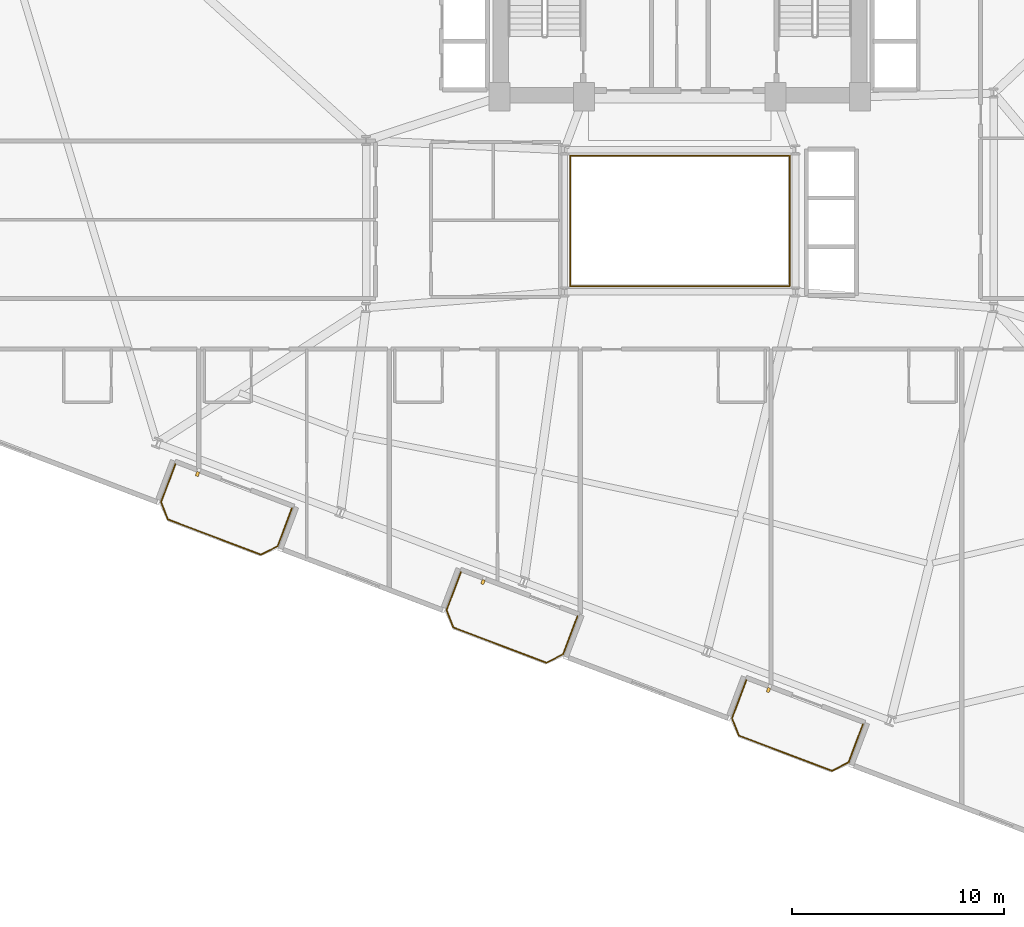
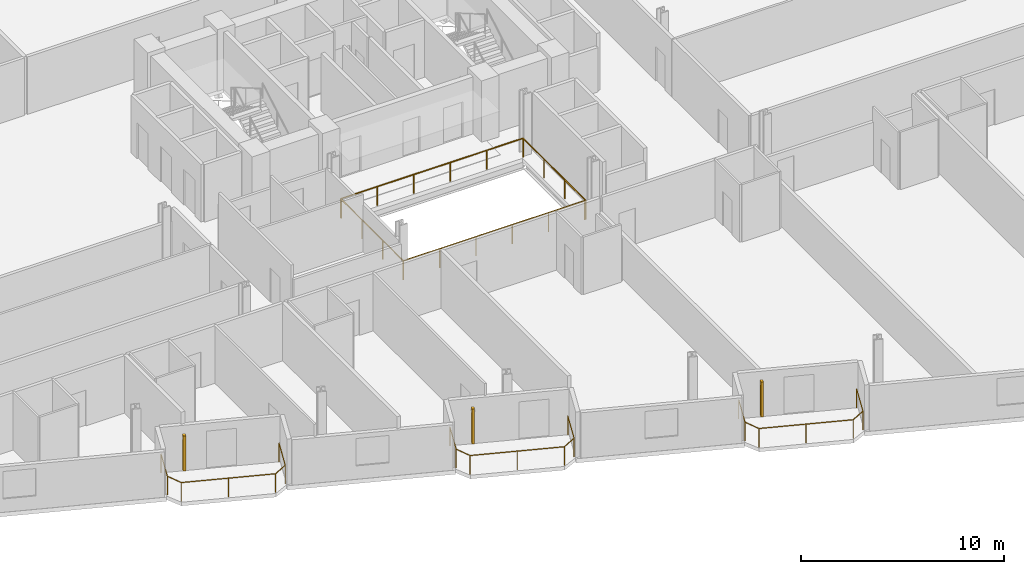
# One storey, part 23 of 25: 5 railings, 3 shading devices.
"""IFC4 building model written with IfcOpenShell, lengths in metres."""

from ifc_helpers import new_model, si_unit, direction, frame, origin, origin_2d, place, context, subcontext, project, spatial, rectangle, circle, extrude, source, transform, mapped, material, type_object, element, save


model = new_model("IFC4")

# Units and contexts
model_context = context("Model", 3, precision=1e-05, world=origin(), true_north=direction((0.0, 1.0)))
body_context = subcontext(model_context, "Body", "Model", "MODEL_VIEW")
ifc_project = project(units=[si_unit("LENGTHUNIT", "METRE"), si_unit("AREAUNIT", "SQUARE_METRE"), si_unit("VOLUMEUNIT", "CUBIC_METRE"), si_unit("PLANEANGLEUNIT", "RADIAN"), si_unit("MASSUNIT", "GRAM", prefix="KILO")], contexts=[model_context])

# Site, building, storey
site_placement = place(None, origin())
site = spatial("IfcSite", under=ifc_project, at=site_placement, CompositionType="ELEMENT")
building_placement = place(site_placement, origin())
building = spatial("IfcBuilding", under=site, at=building_placement, Name="Varnelok Gate Tower", CompositionType="ELEMENT")
storey_placement = place(building_placement, frame((0.0, 0.0, 79.89990234375)))
storey = spatial("IfcBuildingStorey", under=building, at=storey_placement, Name="L19", CompositionType="ELEMENT", Elevation=79.89990234375)

# Railings
ifc_material_1 = material(Name="Tempered Laminated Balustrade Glass", Category="glass")
railing_type_1 = type_object("IfcRailingType", Name="RL-ATR-GUARD1150", PredefinedType="GUARDRAIL", material=ifc_material_1)
railing_1_placement = place(storey_placement, frame((34.02001953125, 25.929931640625, 0.0)))
element("IfcRailing", 1, at=railing_1_placement, inside=storey, type_object=railing_type_1, Name="L19 Internal Atrium South-West Guardrail", PredefinedType="GUARDRAIL", context=body_context, shape_type="SweptSolid", body=[
    extrude(circle(Radius=0.02392578125, at=origin_2d()), frame((0.0, 0.0, 1.1259765625), z_axis=(0.0, -1.0, 0.0), x_axis=(1.0, 0.0, 0.0)), (0.0, 0.0, 1.0), 6.10986328125),
    extrude(circle(Radius=0.02392578125, at=origin_2d()), frame((0.0, -6.10986328125, 1.1259765625), z_axis=(1.0, 0.0, 0.0), x_axis=(0.0, 1.0, 0.0)), (0.0, 0.0, 1.0), 10.31005859375),
    extrude(circle(Radius=0.02099609375, at=origin_2d()), origin(), (0.0, 0.0, 1.0), 1.101806640625),
    extrude(circle(Radius=0.02099609375, at=origin_2d()), frame((0.0, -2.03662109375, 0.0)), (0.0, 0.0, 1.0), 1.101806640625),
    extrude(circle(Radius=0.02099609375, at=origin_2d()), frame((0.0, -4.0732421875, 0.0)), (0.0, 0.0, 1.0), 1.101806640625),
    extrude(circle(Radius=0.02099609375, at=origin_2d()), frame((0.0, -6.10986328125, 0.0)), (0.0, 0.0, 1.0), 1.101806640625),
    extrude(circle(Radius=0.02099609375, at=origin_2d()), frame((2.06201171875, -6.10986328125, 0.0)), (0.0, 0.0, 1.0), 1.101806640625),
    extrude(circle(Radius=0.02099609375, at=origin_2d()), frame((4.1240234375, -6.10986328125, 0.0)), (0.0, 0.0, 1.0), 1.101806640625),
    extrude(circle(Radius=0.02099609375, at=origin_2d()), frame((6.18603515625, -6.10986328125, 0.0)), (0.0, 0.0, 1.0), 1.101806640625),
    extrude(circle(Radius=0.02099609375, at=origin_2d()), frame((8.248046875, -6.10986328125, 0.0)), (0.0, 0.0, 1.0), 1.101806640625),
    extrude(circle(Radius=0.02099609375, at=origin_2d()), frame((10.31005859375, -6.10986328125, 0.0)), (0.0, 0.0, 1.0), 1.101806640625),
])
railing_2_placement = place(storey_placement, frame((44.3798828125, 19.820068359375, 0.0)))
element("IfcRailing", 2, at=railing_2_placement, inside=storey, type_object=railing_type_1, Name="L19 Internal Atrium North-East Guardrail", PredefinedType="GUARDRAIL", context=body_context, shape_type="SweptSolid", body=[
    extrude(circle(Radius=0.02392578125, at=origin_2d()), frame((0.0, 0.0, 1.1259765625), z_axis=(0.0, 1.0, 0.0), x_axis=(-1.0, 0.0, 0.0)), (0.0, 0.0, 1.0), 6.159912109375),
    extrude(circle(Radius=0.02392578125, at=origin_2d()), frame((0.0, 6.159912109375, 1.1259765625), z_axis=(-1.0, 0.0, 0.0), x_axis=(0.0, -1.0, 0.0)), (0.0, 0.0, 1.0), 10.35986328125),
    extrude(circle(Radius=0.02099609375, at=origin_2d()), origin(), (0.0, 0.0, 1.0), 1.101806640625),
    extrude(circle(Radius=0.02099609375, at=origin_2d()), frame((0.0, 2.05322265625, 0.0)), (0.0, 0.0, 1.0), 1.101806640625),
    extrude(circle(Radius=0.02099609375, at=origin_2d()), frame((0.0, 4.106689453125, 0.0)), (0.0, 0.0, 1.0), 1.101806640625),
    extrude(circle(Radius=0.02099609375, at=origin_2d()), frame((0.0, 6.159912109375, 0.0)), (0.0, 0.0, 1.0), 1.101806640625),
    extrude(circle(Radius=0.02099609375, at=origin_2d()), frame((-2.072021484375, 6.159912109375, 0.0)), (0.0, 0.0, 1.0), 1.101806640625),
    extrude(circle(Radius=0.02099609375, at=origin_2d()), frame((-4.14404296875, 6.159912109375, 0.0)), (0.0, 0.0, 1.0), 1.101806640625),
    extrude(circle(Radius=0.02099609375, at=origin_2d()), frame((-6.2158203125, 6.159912109375, 0.0)), (0.0, 0.0, 1.0), 1.101806640625),
    extrude(circle(Radius=0.02099609375, at=origin_2d()), frame((-8.287841796875, 6.159912109375, 0.0)), (0.0, 0.0, 1.0), 1.101806640625),
    extrude(circle(Radius=0.02099609375, at=origin_2d()), frame((-10.35986328125, 6.159912109375, 0.0)), (0.0, 0.0, 1.0), 1.101806640625),
])
ifc_material_2 = material(Name="Low-E Laminated Double Glazing IGU", Category="glass")
railing_type_2 = type_object("IfcRailingType", Name="RL-BALC-1150", PredefinedType="BALUSTRADE", material=ifc_material_2)
railing_3_placement = place(storey_placement, frame((15.40625, 11.42578125, 0.0)))
element("IfcRailing", 3, at=railing_3_placement, inside=storey, type_object=railing_type_2, Name="L19 South Terrace Balustrade 1", PredefinedType="BALUSTRADE", context=body_context, shape_type="SweptSolid", body=[
    extrude(circle(Radius=0.02392578125, at=origin_2d()), frame((0.0, 0.0, 1.1259765625), z_axis=(-0.354006333352, -0.935243025073, 0.0), x_axis=(0.935243025073, -0.354006333352, 0.0)), (0.0, 0.0, 1.0), 1.919921875),
    extrude(circle(Radius=0.02392578125, at=origin_2d()), frame((-0.6796875, -1.795654296875, 1.1259765625), z_axis=(0.366254584666, -0.930514685113, 0.0), x_axis=(0.930514685113, 0.366254584666, 0.0)), (0.0, 0.0, 1.0), 0.8779296875),
    extrude(circle(Radius=0.02392578125, at=origin_2d()), frame((-0.358154296875, -2.612548828125, 1.1259765625), z_axis=(0.935223045203, -0.354059113314, 0.0), x_axis=(0.354059113314, 0.935223045203, 0.0)), (0.0, 0.0, 1.0), 4.699951171875),
    extrude(circle(Radius=0.02392578125, at=origin_2d()), frame((4.037353515625, -4.276611328125, 1.1259765625), z_axis=(0.89078254773, 0.454429810487, 0.0), x_axis=(-0.454429810487, 0.89078254773, 0.0)), (0.0, 0.0, 1.0), 0.8779296875),
    extrude(circle(Radius=0.02392578125, at=origin_2d()), frame((4.8193359375, -3.877685546875, 1.1259765625), z_axis=(0.354117547856, 0.935200920819, 0.0), x_axis=(-0.935200920819, 0.354117547856, 0.0)), (0.0, 0.0, 1.0), 1.920166015625),
    extrude(circle(Radius=0.02099609375, at=origin_2d()), origin(), (0.0, 0.0, 1.0), 1.101806640625),
    extrude(circle(Radius=0.02099609375, at=origin_2d()), frame((-0.6796875, -1.795654296875, 0.0)), (0.0, 0.0, 1.0), 1.101806640625),
    extrude(circle(Radius=0.02099609375, at=origin_2d()), frame((-0.358154296875, -2.612548828125, 0.0)), (0.0, 0.0, 1.0), 1.101806640625),
    extrude(circle(Radius=0.02099609375, at=origin_2d()), frame((1.839599609375, -3.444580078125, 0.0)), (0.0, 0.0, 1.0), 1.101806640625),
    extrude(circle(Radius=0.02099609375, at=origin_2d()), frame((4.037353515625, -4.276611328125, 0.0)), (0.0, 0.0, 1.0), 1.101806640625),
    extrude(circle(Radius=0.02099609375, at=origin_2d()), frame((4.8193359375, -3.877685546875, 0.0)), (0.0, 0.0, 1.0), 1.101806640625),
    extrude(circle(Radius=0.02099609375, at=origin_2d()), frame((5.499267578125, -2.08203125, 0.0)), (0.0, 0.0, 1.0), 1.101806640625),
])
railing_4_placement = place(storey_placement, frame((28.87353515625, 6.3271484375, 0.0)))
element("IfcRailing", 4, at=railing_4_placement, inside=storey, type_object=railing_type_2, Name="L19 South Terrace Balustrade 2", PredefinedType="BALUSTRADE", context=body_context, shape_type="SweptSolid", body=[
    extrude(circle(Radius=0.02392578125, at=origin_2d()), frame((0.0, 0.0, 1.1259765625), z_axis=(-0.354117547856, -0.935200920819, 0.0), x_axis=(0.935200920819, -0.354117547856, 0.0)), (0.0, 0.0, 1.0), 1.920166015625),
    extrude(circle(Radius=0.02392578125, at=origin_2d()), frame((-0.679931640625, -1.795654296875, 1.1259765625), z_axis=(0.36659018357, -0.930382522036, 0.0), x_axis=(0.930382522036, 0.36659018357, 0.0)), (0.0, 0.0, 1.0), 0.877685546875),
    extrude(circle(Radius=0.02392578125, at=origin_2d()), frame((-0.358154296875, -2.6123046875, 1.1259765625), z_axis=(0.935223045203, -0.354059113314, 0.0), x_axis=(0.354059113314, 0.935223045203, 0.0)), (0.0, 0.0, 1.0), 4.699951171875),
    extrude(circle(Radius=0.02392578125, at=origin_2d()), frame((4.037353515625, -4.2763671875, 1.1259765625), z_axis=(0.89078254773, 0.454429810487, 0.0), x_axis=(-0.454429810487, 0.89078254773, 0.0)), (0.0, 0.0, 1.0), 0.8779296875),
    extrude(circle(Radius=0.02392578125, at=origin_2d()), frame((4.8193359375, -3.87744140625, 1.1259765625), z_axis=(0.354006333352, 0.935243025073, 0.0), x_axis=(-0.935243025073, 0.354006333352, 0.0)), (0.0, 0.0, 1.0), 1.919921875),
    extrude(circle(Radius=0.02099609375, at=origin_2d()), origin(), (0.0, 0.0, 1.0), 1.101806640625),
    extrude(circle(Radius=0.02099609375, at=origin_2d()), frame((-0.679931640625, -1.795654296875, 0.0)), (0.0, 0.0, 1.0), 1.101806640625),
    extrude(circle(Radius=0.02099609375, at=origin_2d()), frame((-0.358154296875, -2.6123046875, 0.0)), (0.0, 0.0, 1.0), 1.101806640625),
    extrude(circle(Radius=0.02099609375, at=origin_2d()), frame((1.839599609375, -3.4443359375, 0.0)), (0.0, 0.0, 1.0), 1.101806640625),
    extrude(circle(Radius=0.02099609375, at=origin_2d()), frame((4.037353515625, -4.2763671875, 0.0)), (0.0, 0.0, 1.0), 1.101806640625),
    extrude(circle(Radius=0.02099609375, at=origin_2d()), frame((4.8193359375, -3.87744140625, 0.0)), (0.0, 0.0, 1.0), 1.101806640625),
    extrude(circle(Radius=0.02099609375, at=origin_2d()), frame((5.4990234375, -2.081787109375, 0.0)), (0.0, 0.0, 1.0), 1.101806640625),
])
railing_5_placement = place(storey_placement, frame((42.3408203125, 1.228759765625, 0.0)))
element("IfcRailing", 5, at=railing_5_placement, inside=storey, type_object=railing_type_2, Name="L19 South Terrace Balustrade 3", PredefinedType="BALUSTRADE", context=body_context, shape_type="SweptSolid", body=[
    extrude(circle(Radius=0.02392578125, at=origin_2d()), frame((0.0, 0.0, 1.1259765625), z_axis=(-0.354117547856, -0.935200920819, 0.0), x_axis=(0.935200920819, -0.354117547856, 0.0)), (0.0, 0.0, 1.0), 1.920166015625),
    extrude(circle(Radius=0.02392578125, at=origin_2d()), frame((-0.679931640625, -1.795654296875, 1.1259765625), z_axis=(0.366254584666, -0.930514685113, 0.0), x_axis=(0.930514685113, 0.366254584666, 0.0)), (0.0, 0.0, 1.0), 0.8779296875),
    extrude(circle(Radius=0.02392578125, at=origin_2d()), frame((-0.3583984375, -2.612548828125, 1.1259765625), z_axis=(0.935229556479, -0.354041913744, 0.0), x_axis=(0.354041913744, 0.935229556479, 0.0)), (0.0, 0.0, 1.0), 4.7001953125),
    extrude(circle(Radius=0.02392578125, at=origin_2d()), frame((4.037353515625, -4.276611328125, 1.1259765625), z_axis=(0.890612455555, 0.454763074589, 0.0), x_axis=(-0.454763074589, 0.890612455555, 0.0)), (0.0, 0.0, 1.0), 0.877685546875),
    extrude(circle(Radius=0.02392578125, at=origin_2d()), frame((4.819091796875, -3.87744140625, 1.1259765625), z_axis=(0.354159661475, 0.935184973245, 0.0), x_axis=(-0.935184973245, 0.354159661475, 0.0)), (0.0, 0.0, 1.0), 1.919921875),
    extrude(circle(Radius=0.02099609375, at=origin_2d()), origin(), (0.0, 0.0, 1.0), 1.101806640625),
    extrude(circle(Radius=0.02099609375, at=origin_2d()), frame((-0.679931640625, -1.795654296875, 0.0)), (0.0, 0.0, 1.0), 1.101806640625),
    extrude(circle(Radius=0.02099609375, at=origin_2d()), frame((-0.3583984375, -2.612548828125, 0.0)), (0.0, 0.0, 1.0), 1.101806640625),
    extrude(circle(Radius=0.02099609375, at=origin_2d()), frame((1.83935546875, -3.444580078125, 0.0)), (0.0, 0.0, 1.0), 1.101806640625),
    extrude(circle(Radius=0.02099609375, at=origin_2d()), frame((4.037353515625, -4.276611328125, 0.0)), (0.0, 0.0, 1.0), 1.101806640625),
    extrude(circle(Radius=0.02099609375, at=origin_2d()), frame((4.819091796875, -3.87744140625, 0.0)), (0.0, 0.0, 1.0), 1.101806640625),
    extrude(circle(Radius=0.02099609375, at=origin_2d()), frame((5.4990234375, -2.08203125, 0.0)), (0.0, 0.0, 1.0), 1.101806640625),
])

# Shading devices
ifc_material_3 = material(Name="Glazed Architectural Terracotta Ceramic", Category="masonry")
shading_device_type = type_object("IfcShadingDeviceType", Name="SHD-TERRA-FIN", PredefinedType="USERDEFINED", material=ifc_material_3)
shared_shape = source(origin(), body_context, "Body", "SweptSolid", [
    extrude(rectangle(XDim=0.139892578125, YDim=0.219970703125, at=origin_2d()), origin(), (0.0, 0.0, 1.0), 2.10009765625),
])
for number, where, z_axis, x_axis, name in (
    (6, (16.44775390625, 10.95654296875, 0.10009765625), (0.0, 0.0, 1.0), (0.935221751401, -0.354062530786, 0.0), "L19 Terracotta Ceramic Baguette Sunscreen 1.1"),
    (7, (29.914794921875, 5.858154296875, 0.10009765625), (0.0, 0.0, 1.0), (0.935221751401, -0.354062530786, 0.0), "L19 Terracotta Ceramic Baguette Sunscreen 2.1"),
    (8, (43.382080078125, 0.759521484375, 0.10009765625), (0.0, 0.0, 1.0), (0.935221751401, -0.354062530786, 0.0), "L19 Terracotta Ceramic Baguette Sunscreen 3.1"),
):
    element("IfcShadingDevice", number, at=place(storey_placement, frame(where, z_axis=z_axis, x_axis=x_axis)), inside=storey, type_object=shading_device_type, Name=name, ObjectType="BAGUETTE", PredefinedType="USERDEFINED", context=body_context, shape_type="MappedRepresentation", body=[
        mapped(shared_shape, transform((0.0, 0.0, 0.0), scale=1.0)),
    ])

save(model, "model.ifc")
